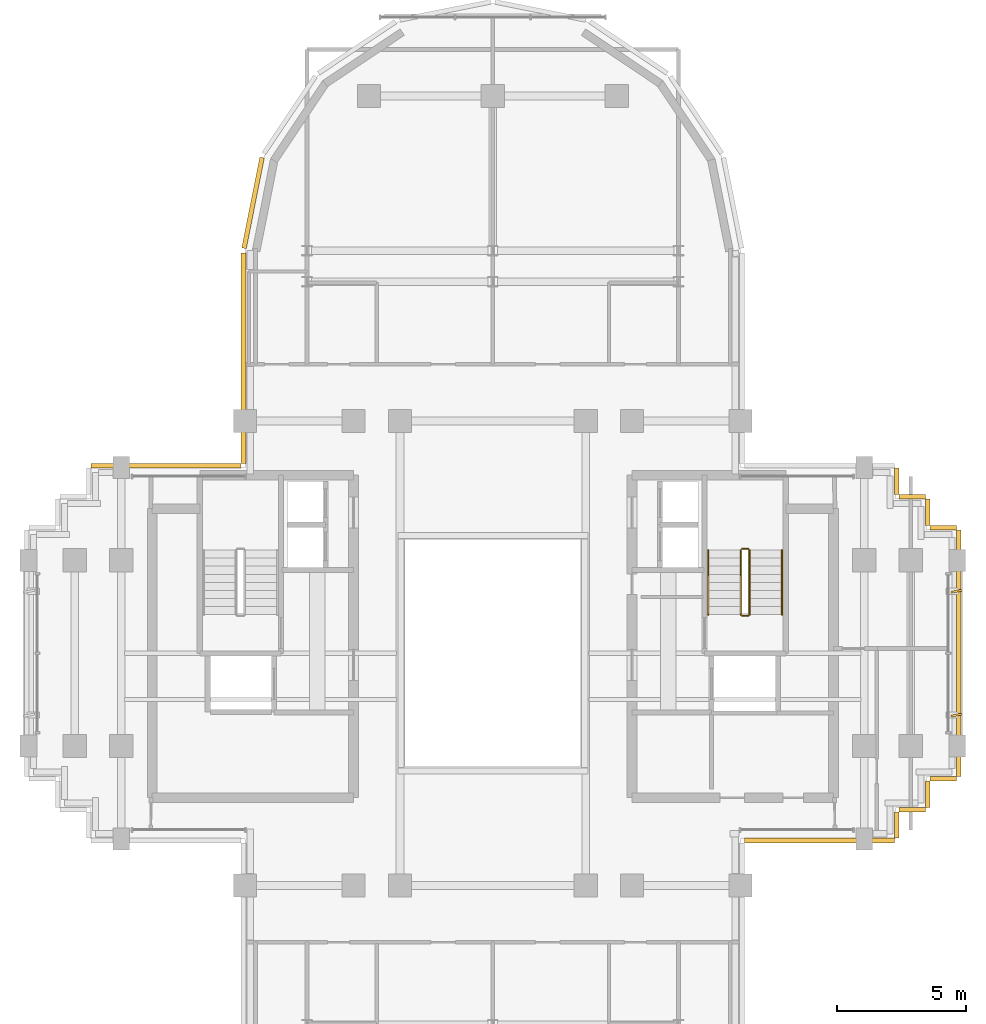
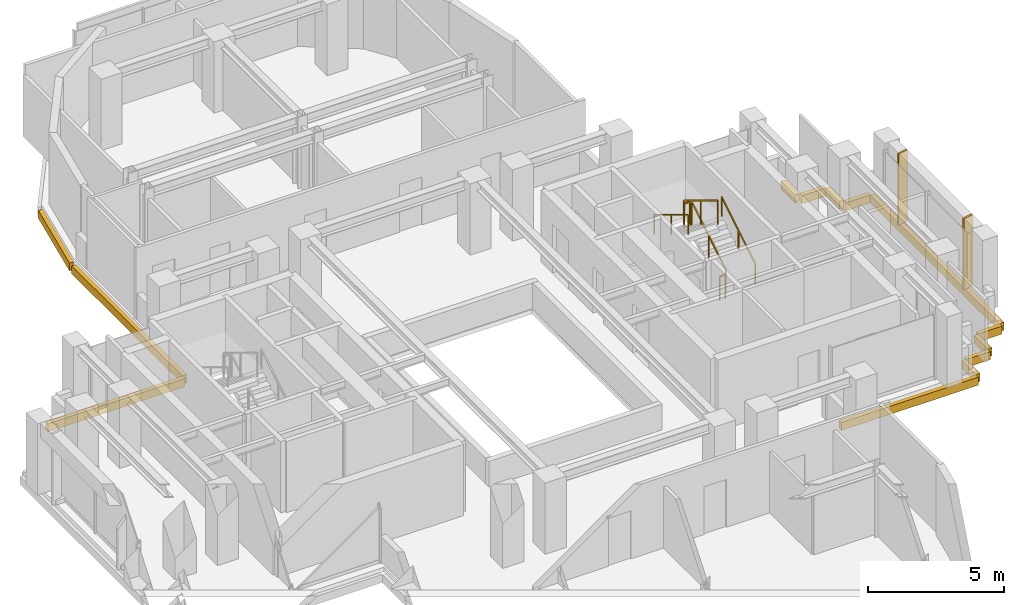
# One storey, part 10 of 11: 13 coverings, 6 railings, 2 shading devices.
"""IFC4 building model written with IfcOpenShell, lengths in metres."""

from ifc_helpers import new_model, si_unit, direction, frame, origin, origin_2d, place, context, subcontext, project, spatial, rectangle, extrude, source, transform, mapped, material, layer, layer_set, type_object, element, save


model = new_model("IFC4")

# Units and contexts
model_context = context("Model", 3, precision=1e-05, world=origin(), true_north=direction((0.0, 1.0)))
body_context = subcontext(model_context, "Body", "Model", "MODEL_VIEW")
ifc_project = project(units=[si_unit("LENGTHUNIT", "METRE"), si_unit("AREAUNIT", "SQUARE_METRE"), si_unit("VOLUMEUNIT", "CUBIC_METRE"), si_unit("PLANEANGLEUNIT", "RADIAN"), si_unit("MASSUNIT", "GRAM", prefix="KILO")], contexts=[model_context])

# Site, building, storey
site_placement = place(None, origin())
site = spatial("IfcSite", under=ifc_project, at=site_placement, CompositionType="ELEMENT")
building_placement = place(site_placement, origin())
building = spatial("IfcBuilding", under=site, at=building_placement, Name="Keilestroom Media Tower", CompositionType="ELEMENT")
storey_placement = place(building_placement, frame((0.0, 0.0, 197.800048828125)))
storey = spatial("IfcBuildingStorey", under=building, at=storey_placement, Name="L54", CompositionType="ELEMENT", Elevation=197.800048828125)

# Railings
ifc_material_1 = material(Name="Brushed Stainless Steel 1.4301", Category="steel")
railing_type_1 = type_object("IfcRailingType", Name="Stair-Pitch-Handrail-920", PredefinedType="HANDRAIL", material=ifc_material_1)
railing_1_placement = place(storey_placement, frame((11.2099609375, 1.5, 0.188720703125)))
element("IfcRailing", 1, at=railing_1_placement, inside=storey, type_object=railing_type_1, Name="L54 ST-2 stair handrail 1", PredefinedType="HANDRAIL", context=body_context, shape_type="SweptSolid", body=[
    extrude(rectangle(XDim=0.048095703125, YDim=0.048095703125, at=origin_2d()), frame((0.0, 0.0, 0.8759765625), z_axis=(0.0, 0.855433747314, 0.517912255074), x_axis=(-1.0, 0.0, 0.0)), (0.0, 0.0, 1.0), 2.91796875),
    extrude(rectangle(XDim=0.0419921875, YDim=0.0419921875, at=origin_2d()), origin(), (0.0, 0.0, 1.0), 0.84375),
    extrude(rectangle(XDim=0.0419921875, YDim=0.0419921875, at=origin_2d()), frame((0.0, 1.248046875, 0.755615234375)), (0.0, 0.0, 1.0), 0.84375),
    extrude(rectangle(XDim=0.0419921875, YDim=0.0419921875, at=origin_2d()), frame((0.0, 2.49609375, 1.51123046875)), (0.0, 0.0, 1.0), 0.84375),
])
railing_2_placement = place(storey_placement, frame((8.35009765625, 3.99609375, 1.888916015625)))
element("IfcRailing", 2, at=railing_2_placement, inside=storey, type_object=railing_type_1, Name="L54 ST-2 stair handrail 2", PredefinedType="HANDRAIL", context=body_context, shape_type="SweptSolid", body=[
    extrude(rectangle(XDim=0.048095703125, YDim=0.048095703125, at=origin_2d()), frame((0.0, 0.0, 0.8759765625), z_axis=(0.0, -0.855470815493, 0.517851024754), x_axis=(1.0, 0.0, 0.0)), (0.0, 0.0, 1.0), 2.917724609375),
    extrude(rectangle(XDim=0.0419921875, YDim=0.0419921875, at=origin_2d()), origin(), (0.0, 0.0, 1.0), 0.84375),
    extrude(rectangle(XDim=0.0419921875, YDim=0.0419921875, at=origin_2d()), frame((0.0, -1.248046875, 0.75537109375)), (0.0, 0.0, 1.0), 0.84375),
    extrude(rectangle(XDim=0.0419921875, YDim=0.0419921875, at=origin_2d()), frame((0.0, -2.49609375, 1.510986328125)), (0.0, 0.0, 1.0), 0.84375),
])
ifc_material_2 = material(Name="Painted Steel Balustrade", Category="steel")
railing_type_2 = type_object("IfcRailingType", Name="Stair-Well-And-Landing-Guard-1100", PredefinedType="GUARDRAIL", material=ifc_material_2)
railing_3_placement = place(storey_placement, frame((9.949951171875, 1.5, 0.188720703125)))
element("IfcRailing", 3, at=railing_3_placement, inside=storey, type_object=railing_type_2, Name="L54 ST-2 stair guard 1", PredefinedType="GUARDRAIL", context=body_context, shape_type="SweptSolid", body=[
    extrude(rectangle(XDim=0.048095703125, YDim=0.048095703125, at=origin_2d()), frame((0.0, 0.0, 1.076171875), z_axis=(0.0, 0.855433747314, 0.517912255074), x_axis=(-1.0, 0.0, 0.0)), (0.0, 0.0, 1.0), 2.91796875),
    extrude(rectangle(XDim=0.0419921875, YDim=0.0419921875, at=origin_2d()), origin(), (0.0, 0.0, 1.0), 1.0439453125),
    extrude(rectangle(XDim=0.0419921875, YDim=0.0419921875, at=origin_2d()), frame((0.0, 1.248046875, 0.755615234375)), (0.0, 0.0, 1.0), 1.0439453125),
    extrude(rectangle(XDim=0.0419921875, YDim=0.0419921875, at=origin_2d()), frame((0.0, 2.49609375, 1.51123046875)), (0.0, 0.0, 1.0), 1.0439453125),
])
railing_4_placement = place(storey_placement, frame((9.89990234375, 4.0458984375, 1.699951171875)))
element("IfcRailing", 4, at=railing_4_placement, inside=storey, type_object=railing_type_2, Name="L54 ST-2 stair guard 2", PredefinedType="GUARDRAIL", context=body_context, shape_type="SweptSolid", body=[
    extrude(rectangle(XDim=0.048095703125, YDim=0.048095703125, at=origin_2d()), frame((0.0, 0.0, 1.076171875), z_axis=(-1.0, 0.0, 0.0), x_axis=(0.0, -1.0, 0.0)), (0.0, 0.0, 1.0), 0.239990234375),
    extrude(rectangle(XDim=0.0419921875, YDim=0.0419921875, at=origin_2d()), origin(), (0.0, 0.0, 1.0), 1.0439453125),
    extrude(rectangle(XDim=0.0419921875, YDim=0.0419921875, at=origin_2d()), frame((-0.239990234375, 0.0, 0.0)), (0.0, 0.0, 1.0), 1.0439453125),
])
railing_5_placement = place(storey_placement, frame((9.610107421875, 3.99609375, 1.888916015625)))
element("IfcRailing", 5, at=railing_5_placement, inside=storey, type_object=railing_type_2, Name="L54 ST-2 stair guard 3", PredefinedType="GUARDRAIL", context=body_context, shape_type="SweptSolid", body=[
    extrude(rectangle(XDim=0.048095703125, YDim=0.048095703125, at=origin_2d()), frame((0.0, 0.0, 1.076171875), z_axis=(0.0, -0.855470815493, 0.517851024754), x_axis=(1.0, 0.0, 0.0)), (0.0, 0.0, 1.0), 2.917724609375),
    extrude(rectangle(XDim=0.0419921875, YDim=0.0419921875, at=origin_2d()), origin(), (0.0, 0.0, 1.0), 1.0439453125),
    extrude(rectangle(XDim=0.0419921875, YDim=0.0419921875, at=origin_2d()), frame((0.0, -1.248046875, 0.75537109375)), (0.0, 0.0, 1.0), 1.0439453125),
    extrude(rectangle(XDim=0.0419921875, YDim=0.0419921875, at=origin_2d()), frame((0.0, -2.49609375, 1.510986328125)), (0.0, 0.0, 1.0), 1.0439453125),
])
railing_6_placement = place(storey_placement, frame((9.89990234375, 1.449951171875, 0.0)))
element("IfcRailing", 6, at=railing_6_placement, inside=storey, type_object=railing_type_2, Name="L54 ST-2 stair guard 4", PredefinedType="GUARDRAIL", context=body_context, shape_type="SweptSolid", body=[
    extrude(rectangle(XDim=0.048095703125, YDim=0.048095703125, at=origin_2d()), frame((0.0, 0.0, 1.076171875), z_axis=(-1.0, 0.0, 0.0), x_axis=(0.0, -1.0, 0.0)), (0.0, 0.0, 1.0), 0.239990234375),
    extrude(rectangle(XDim=0.0419921875, YDim=0.0419921875, at=origin_2d()), origin(), (0.0, 0.0, 1.0), 1.0439453125),
    extrude(rectangle(XDim=0.0419921875, YDim=0.0419921875, at=origin_2d()), frame((-0.239990234375, 0.0, 0.0)), (0.0, 0.0, 1.0), 1.0439453125),
])

# Shading devices
ifc_material_3 = material(Name="Bronze Anodised Aluminium", Category="aluminium")
shading_device_type = type_object("IfcShadingDeviceType", Name="Facade-Vertical-Sunshade-Fin-SHD-1", PredefinedType="USERDEFINED", material=ifc_material_3)
shared_shape_1 = source(origin(), body_context, "Body", "SweptSolid", [
    extrude(rectangle(XDim=0.419921875, YDim=0.080078125, at=origin_2d()), origin(), (0.0, 0.0, 1.0), 3.199951171875),
])
for number, where, z_axis, x_axis, name in (
    (7, (17.969970703125, -2.39990234375, 0.0), (0.0, 0.0, 1.0), (0.981560518741, 0.191151636272, 0.0), "L54 Twisting Sunshade Fin SHD-1 079"),
    (8, (17.969970703125, 2.39990234375, 0.0), (0.0, 0.0, 1.0), (0.981560518741, 0.191151636272, 0.0), "L54 Twisting Sunshade Fin SHD-1 080"),
):
    element("IfcShadingDevice", number, at=place(storey_placement, frame(where, z_axis=z_axis, x_axis=x_axis)), inside=storey, type_object=shading_device_type, Name=name, ObjectType="SUNSHADE", PredefinedType="USERDEFINED", context=body_context, shape_type="MappedRepresentation", body=[
        mapped(shared_shape_1, transform((0.0, 0.0, 0.0), x_axis=(1.0, 0.0, 0.0), y_axis=(0.0, 1.0, 0.0), z_axis=(0.0, 0.0, 1.0), scale=1.0)),
    ])

# Coverings
ifc_material_4 = material(Name="Precast concrete C40/50", Category="concrete")
ifc_layer = layer(ifc_material_4, 0.1201171875)
ifc_layer_set = layer_set([ifc_layer], Name="Precast concrete C40/50")
covering_type = type_object("IfcCoveringType", Name="Exterior-Precast-Spandrel-Cladding-Panel-120", PredefinedType="CLADDING", material=ifc_layer_set)
shared_shape_2 = source(origin(), body_context, "Body", "SweptSolid", [
    extrude(rectangle(XDim=1.02001953125, YDim=0.179931640625, at=origin_2d()), origin(), (0.0, 0.0, 1.0), 0.360107421875),
])
for number, where, z_axis, x_axis, name in (
    (9, (17.4599609375, -4.860107421875, -0.5400390625), (0.0, 0.0, 1.0), (-1.0, 0.0, 0.0), "L54 Precast Slab-Edge Fascia Cornice 01"),
    (10, (16.860107421875, -5.4599609375, -0.5400390625), (0.0, 0.0, 1.0), (0.0, -1.0, 0.0), "L54 Precast Slab-Edge Fascia Cornice 02"),
    (11, (16.260009765625, -6.06005859375, -0.5400390625), (0.0, 0.0, 1.0), (-1.0, 0.0, 0.0), "L54 Precast Slab-Edge Fascia Cornice 03"),
    (12, (15.659912109375, -6.659912109375, -0.5400390625), (0.0, 0.0, 1.0), (0.0, -1.0, 0.0), "L54 Precast Slab-Edge Fascia Cornice 04"),
    (13, (15.659912109375, 6.659912109375, -0.5400390625), (0.0, 0.0, 1.0), (0.0, -1.0, 0.0), "L54 Precast Slab-Edge Fascia Cornice 38"),
    (14, (16.260009765625, 6.06005859375, -0.5400390625), (0.0, 0.0, 1.0), (1.0, 0.0, 0.0), "L54 Precast Slab-Edge Fascia Cornice 39"),
    (15, (16.860107421875, 5.4599609375, -0.5400390625), (0.0, 0.0, 1.0), (0.0, -1.0, 0.0), "L54 Precast Slab-Edge Fascia Cornice 40"),
    (16, (17.4599609375, 4.860107421875, -0.5400390625), (0.0, 0.0, 1.0), (1.0, 0.0, 0.0), "L54 Precast Slab-Edge Fascia Cornice 41"),
):
    element("IfcCovering", number, at=place(storey_placement, frame(where, z_axis=z_axis, x_axis=x_axis)), inside=storey, type_object=covering_type, Name=name, PredefinedType="CLADDING", context=body_context, shape_type="MappedRepresentation", body=[
        mapped(shared_shape_2, transform((0.0, 0.0, 0.0), x_axis=(1.0, 0.0, 0.0), y_axis=(0.0, 1.0, 0.0), z_axis=(0.0, 0.0, 1.0), scale=1.0)),
    ])
shared_shape_3 = source(origin(), body_context, "Body", "SweptSolid", [
    extrude(rectangle(XDim=8.166015625, YDim=0.179931640625, at=origin_2d()), origin(), (0.0, 0.0, 1.0), 0.360107421875),
])
covering_1_placement = place(storey_placement, frame((-9.659912109375, 11.43310546875, -0.5400390625), z_axis=(0.0, 0.0, 1.0), x_axis=(0.0, 1.0, 0.0)))
element("IfcCovering", 17, at=covering_1_placement, inside=storey, type_object=covering_type, Name="L54 Precast Slab-Edge Fascia Cornice 27", PredefinedType="CLADDING", context=body_context, shape_type="MappedRepresentation", body=[
    mapped(shared_shape_3, transform((0.0, 0.0, 0.0), x_axis=(1.0, 0.0, 0.0), y_axis=(0.0, 1.0, 0.0), z_axis=(0.0, 0.0, 1.0), scale=1.0)),
])
shared_shape_4 = source(origin(), body_context, "Body", "SweptSolid", [
    extrude(rectangle(XDim=3.58349609375, YDim=0.179931640625, at=origin_2d()), origin(), (0.0, 0.0, 1.0), 0.360107421875),
])
covering_2_placement = place(storey_placement, frame((-9.29296875, 17.45166015625, -0.5400390625), z_axis=(0.0, 0.0, 1.0), x_axis=(0.195098880975, 0.980783577882, 0.0)))
element("IfcCovering", 18, at=covering_2_placement, inside=storey, type_object=covering_type, Name="L54 Precast Slab-Edge Fascia Cornice 28", PredefinedType="CLADDING", context=body_context, shape_type="MappedRepresentation", body=[
    mapped(shared_shape_4, transform((0.0, 0.0, 0.0), x_axis=(1.0, 0.0, 0.0), y_axis=(0.0, 1.0, 0.0), z_axis=(0.0, 0.0, 1.0), scale=1.0)),
])
shared_shape_5 = source(origin(), body_context, "Body", "SweptSolid", [
    extrude(rectangle(XDim=9.5400390625, YDim=0.179931640625, at=origin_2d()), origin(), (0.0, 0.0, 1.0), 0.360107421875),
])
covering_3_placement = place(storey_placement, frame((18.06005859375, 0.0, -0.5400390625), z_axis=(0.0, 0.0, 1.0), x_axis=(0.0, -1.0, 0.0)))
element("IfcCovering", 19, at=covering_3_placement, inside=storey, type_object=covering_type, Name="L54 Precast Slab-Edge Fascia Cornice 42", PredefinedType="CLADDING", context=body_context, shape_type="MappedRepresentation", body=[
    mapped(shared_shape_5, transform((0.0, 0.0, 0.0), x_axis=(1.0, 0.0, 0.0), y_axis=(0.0, 1.0, 0.0), z_axis=(0.0, 0.0, 1.0), scale=1.0)),
])
shared_shape_6 = source(origin(), body_context, "Body", "SweptSolid", [
    extrude(rectangle(XDim=5.820068359375, YDim=0.179931640625, at=origin_2d()), origin(), (0.0, 0.0, 1.0), 0.360107421875),
])
for number, where, z_axis, x_axis, name in (
    (20, (12.659912109375, -7.260009765625, -0.5400390625), (0.0, 0.0, 1.0), (-1.0, 0.0, 0.0), "L54 Precast Slab-Edge Fascia Cornice 05"),
    (21, (-12.659912109375, 7.260009765625, -0.5400390625), (0.0, 0.0, 1.0), (1.0, 0.0, 0.0), "L54 Precast Slab-Edge Fascia Cornice 26"),
):
    element("IfcCovering", number, at=place(storey_placement, frame(where, z_axis=z_axis, x_axis=x_axis)), inside=storey, type_object=covering_type, Name=name, PredefinedType="CLADDING", context=body_context, shape_type="MappedRepresentation", body=[
        mapped(shared_shape_6, transform((0.0, 0.0, 0.0), x_axis=(1.0, 0.0, 0.0), y_axis=(0.0, 1.0, 0.0), z_axis=(0.0, 0.0, 1.0), scale=1.0)),
    ])

save(model, "model.ifc")
